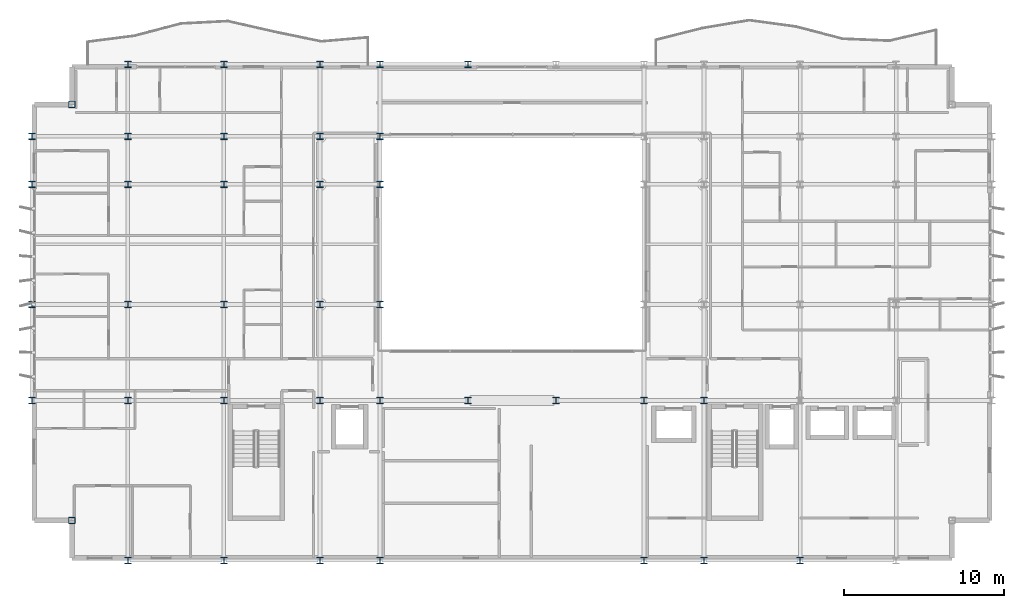
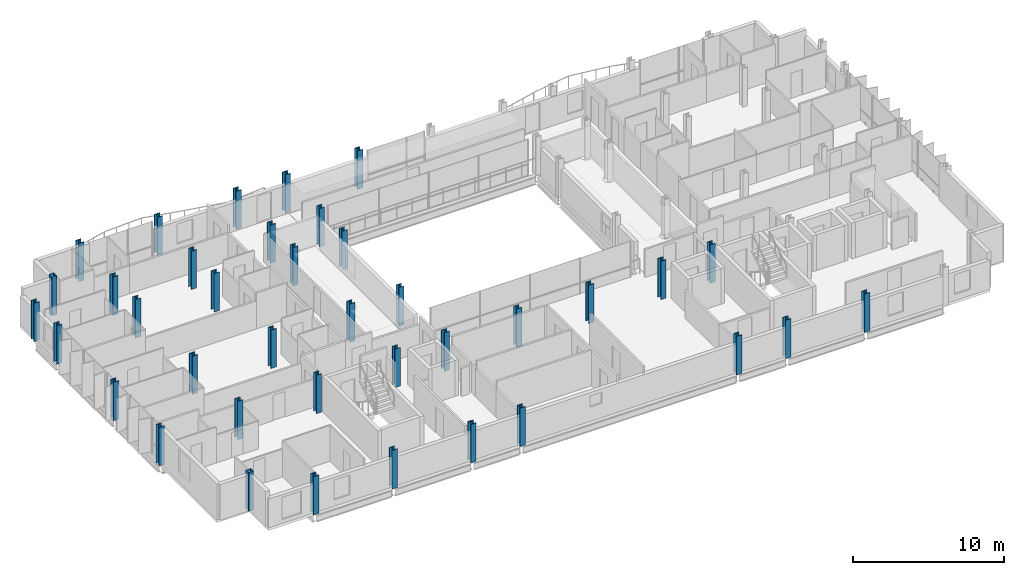
# One storey, part 1 of 38: 38 columns.
"""IFC4 building model written with IfcOpenShell, lengths in metres."""

from ifc_helpers import new_model, si_unit, direction, frame, origin, origin_2d, place, context, subcontext, project, spatial, hollow_rectangle, i_section, extrude, material, material_profile, profile_set, type_object, element, save


model = new_model("IFC4")

# Units and contexts
model_context = context("Model", 3, precision=1e-05, world=origin(), true_north=direction((0.0, 1.0)))
body_context = subcontext(model_context, "Body", "Model", "MODEL_VIEW")
ifc_project = project(units=[si_unit("LENGTHUNIT", "METRE"), si_unit("AREAUNIT", "SQUARE_METRE"), si_unit("VOLUMEUNIT", "CUBIC_METRE"), si_unit("PLANEANGLEUNIT", "RADIAN"), si_unit("MASSUNIT", "GRAM", prefix="KILO")], contexts=[model_context])

# Site, building, storey
site_placement = place(None, origin())
site = spatial("IfcSite", under=ifc_project, at=site_placement, CompositionType="ELEMENT")
building_placement = place(site_placement, origin())
building = spatial("IfcBuilding", under=site, at=building_placement, Name="Brevholm Reach", CompositionType="ELEMENT")
storey_placement = place(building_placement, frame((0.0, 0.0, 141.800048828125)))
storey = spatial("IfcBuildingStorey", under=building, at=storey_placement, Name="L42", CompositionType="ELEMENT", Elevation=141.800048828125)

# Columns
ifc_material_1 = material(Name="Structural Steel S460NH", Category="steel")
ifc_material_profile_1 = material_profile(ifc_material_1, hollow_rectangle(XDim=0.39990234375, YDim=0.39990234375, WallThickness=0.02001953125, InnerFilletRadius=0.011962890625, OuterFilletRadius=0.02392578125, at=origin_2d()), Name="SHS 400x400x20")
ifc_profile_set_1 = profile_set([ifc_material_profile_1], Name="Structural Steel S460NH")
column_type_1 = type_object("IfcColumnType", Name="COL-SHS2", PredefinedType="COLUMN", material=ifc_profile_set_1)
for number, where, z_axis, x_axis, name in (
    (1, (2.5, 2.5, 0.0), (0.0, 0.0, 1.0), (1.0, 0.0, 0.0), "L42 Column 05"),
    (2, (2.5, 28.5, 0.0), (0.0, 0.0, 1.0), (1.0, 0.0, 0.0), "L42 Column 06"),
):
    element("IfcColumn", number, at=place(storey_placement, frame(where, z_axis=z_axis, x_axis=x_axis)), inside=storey, type_object=column_type_1, Name=name, PredefinedType="COLUMN", context=body_context, shape_type="SweptSolid", body=[
        extrude(hollow_rectangle(XDim=0.39990234375, YDim=0.39990234375, WallThickness=0.02001953125, InnerFilletRadius=0.011962890625, OuterFilletRadius=0.02392578125, at=origin_2d()), origin(), (0.0, 0.0, 1.0), 3.099853515625),
    ])
ifc_material_2 = material(Name="Structural Steel S355J2", Category="steel")
ifc_material_profile_2 = material_profile(ifc_material_2, i_section(OverallWidth=0.406982421875, OverallDepth=0.4189453125, WebThickness=0.030517578125, FlangeThickness=0.04931640625, FilletRadius=0.01513671875, at=origin_2d()), Name="UKC 356x406x393")
ifc_profile_set_2 = profile_set([ifc_material_profile_2], Name="Structural Steel S355J2")
column_type_2 = type_object("IfcColumnType", Name="COL-UC4", PredefinedType="COLUMN", material=ifc_profile_set_2)
for number, where, z_axis, x_axis, name in (
    (3, (0.0, 10.0, 0.0), (0.0, 0.0, 1.0), (1.0, 0.0, 0.0), "L42 Column 01"),
    (4, (0.0, 16.0, 0.0), (0.0, 0.0, 1.0), (1.0, 0.0, 0.0), "L42 Column 02"),
    (5, (0.0, 23.5, 0.0), (0.0, 0.0, 1.0), (1.0, 0.0, 0.0), "L42 Column 03"),
    (6, (0.0, 26.5, 0.0), (0.0, 0.0, 1.0), (1.0, 0.0, 0.0), "L42 Column 04"),
    (7, (6.0, 0.0, 0.0), (0.0, 0.0, 1.0), (1.0, 0.0, 0.0), "L42 Column 07"),
    (8, (6.0, 31.0, 0.0), (0.0, 0.0, 1.0), (1.0, 0.0, 0.0), "L42 Column 12"),
    (9, (12.0, 0.0, 0.0), (0.0, 0.0, 1.0), (1.0, 0.0, 0.0), "L42 Column 13"),
    (10, (12.0, 31.0, 0.0), (0.0, 0.0, 1.0), (1.0, 0.0, 0.0), "L42 Column 18"),
    (11, (18.0, 0.0, 0.0), (0.0, 0.0, 1.0), (1.0, 0.0, 0.0), "L42 Column 19"),
    (12, (18.0, 31.0, 0.0), (0.0, 0.0, 1.0), (1.0, 0.0, 0.0), "L42 Column 24"),
    (13, (21.75, 0.0, 0.0), (0.0, 0.0, 1.0), (1.0, 0.0, 0.0), "L42 Column 25"),
    (14, (21.75, 31.0, 0.0), (0.0, 0.0, 1.0), (1.0, 0.0, 0.0), "L42 Column 30"),
    (15, (27.25, 31.0, 0.0), (0.0, 0.0, 1.0), (1.0, 0.0, 0.0), "L42 Column 32"),
    (16, (38.25, 0.0, 0.0), (0.0, 0.0, 1.0), (1.0, 0.0, 0.0), "L42 Column 35"),
    (17, (42.0, 0.0, 0.0), (0.0, 0.0, 1.0), (1.0, 0.0, 0.0), "L42 Column 41"),
    (18, (48.0, 0.0, 0.0), (0.0, 0.0, 1.0), (1.0, 0.0, 0.0), "L42 Column 47"),
):
    element("IfcColumn", number, at=place(storey_placement, frame(where, z_axis=z_axis, x_axis=x_axis)), inside=storey, type_object=column_type_2, Name=name, PredefinedType="COLUMN", context=body_context, shape_type="SweptSolid", body=[
        extrude(i_section(OverallWidth=0.406982421875, OverallDepth=0.4189453125, WebThickness=0.030517578125, FlangeThickness=0.04931640625, FilletRadius=0.01513671875, at=origin_2d()), origin(), (0.0, 0.0, 1.0), 3.099853515625),
    ])
ifc_material_3 = material(Name="Structural Steel S355J2", Category="steel")
ifc_material_profile_3 = material_profile(ifc_material_3, i_section(OverallWidth=0.403076171875, OverallDepth=0.406494140625, WebThickness=0.026611328125, FlangeThickness=0.04296875, FilletRadius=0.01513671875, at=origin_2d()), Name="UKC 356x406x340")
ifc_profile_set_3 = profile_set([ifc_material_profile_3], Name="Structural Steel S355J2")
column_type_3 = type_object("IfcColumnType", Name="COL-UC5", PredefinedType="COLUMN", material=ifc_profile_set_3)
for number, where, z_axis, x_axis, name in (
    (19, (6.0, 10.0, 0.0), (0.0, 0.0, 1.0), (1.0, 0.0, 0.0), "L42 Column 08"),
    (20, (6.0, 16.0, 0.0), (0.0, 0.0, 1.0), (1.0, 0.0, 0.0), "L42 Column 09"),
    (21, (6.0, 23.5, 0.0), (0.0, 0.0, 1.0), (1.0, 0.0, 0.0), "L42 Column 10"),
    (22, (6.0, 26.5, 0.0), (0.0, 0.0, 1.0), (1.0, 0.0, 0.0), "L42 Column 11"),
    (23, (12.0, 10.0, 0.0), (0.0, 0.0, 1.0), (1.0, 0.0, 0.0), "L42 Column 14"),
    (24, (12.0, 16.0, 0.0), (0.0, 0.0, 1.0), (1.0, 0.0, 0.0), "L42 Column 15"),
    (25, (12.0, 23.5, 0.0), (0.0, 0.0, 1.0), (1.0, 0.0, 0.0), "L42 Column 16"),
    (26, (12.0, 26.5, 0.0), (0.0, 0.0, 1.0), (1.0, 0.0, 0.0), "L42 Column 17"),
    (27, (18.0, 10.0, 0.0), (0.0, 0.0, 1.0), (1.0, 0.0, 0.0), "L42 Column 20"),
    (28, (18.0, 16.0, 0.0), (0.0, 0.0, 1.0), (1.0, 0.0, 0.0), "L42 Column 21"),
    (29, (18.0, 23.5, 0.0), (0.0, 0.0, 1.0), (1.0, 0.0, 0.0), "L42 Column 22"),
    (30, (18.0, 26.5, 0.0), (0.0, 0.0, 1.0), (1.0, 0.0, 0.0), "L42 Column 23"),
    (31, (21.75, 10.0, 0.0), (0.0, 0.0, 1.0), (1.0, 0.0, 0.0), "L42 Column 26"),
    (32, (21.75, 16.0, 0.0), (0.0, 0.0, 1.0), (1.0, 0.0, 0.0), "L42 Column 27"),
    (33, (21.75, 23.5, 0.0), (0.0, 0.0, 1.0), (1.0, 0.0, 0.0), "L42 Column 28"),
    (34, (21.75, 26.5, 0.0), (0.0, 0.0, 1.0), (1.0, 0.0, 0.0), "L42 Column 29"),
    (35, (27.25, 10.0, 0.0), (0.0, 0.0, 1.0), (1.0, 0.0, 0.0), "L42 Column 31"),
    (36, (32.75, 10.0, 0.0), (0.0, 0.0, 1.0), (1.0, 0.0, 0.0), "L42 Column 33"),
    (37, (38.25, 10.0, 0.0), (0.0, 0.0, 1.0), (1.0, 0.0, 0.0), "L42 Column 36"),
    (38, (42.0, 10.0, 0.0), (0.0, 0.0, 1.0), (1.0, 0.0, 0.0), "L42 Column 42"),
):
    element("IfcColumn", number, at=place(storey_placement, frame(where, z_axis=z_axis, x_axis=x_axis)), inside=storey, type_object=column_type_3, Name=name, PredefinedType="COLUMN", context=body_context, shape_type="SweptSolid", body=[
        extrude(i_section(OverallWidth=0.403076171875, OverallDepth=0.406494140625, WebThickness=0.026611328125, FlangeThickness=0.04296875, FilletRadius=0.01513671875, at=origin_2d()), origin(), (0.0, 0.0, 1.0), 3.099853515625),
    ])

save(model, "model.ifc")
